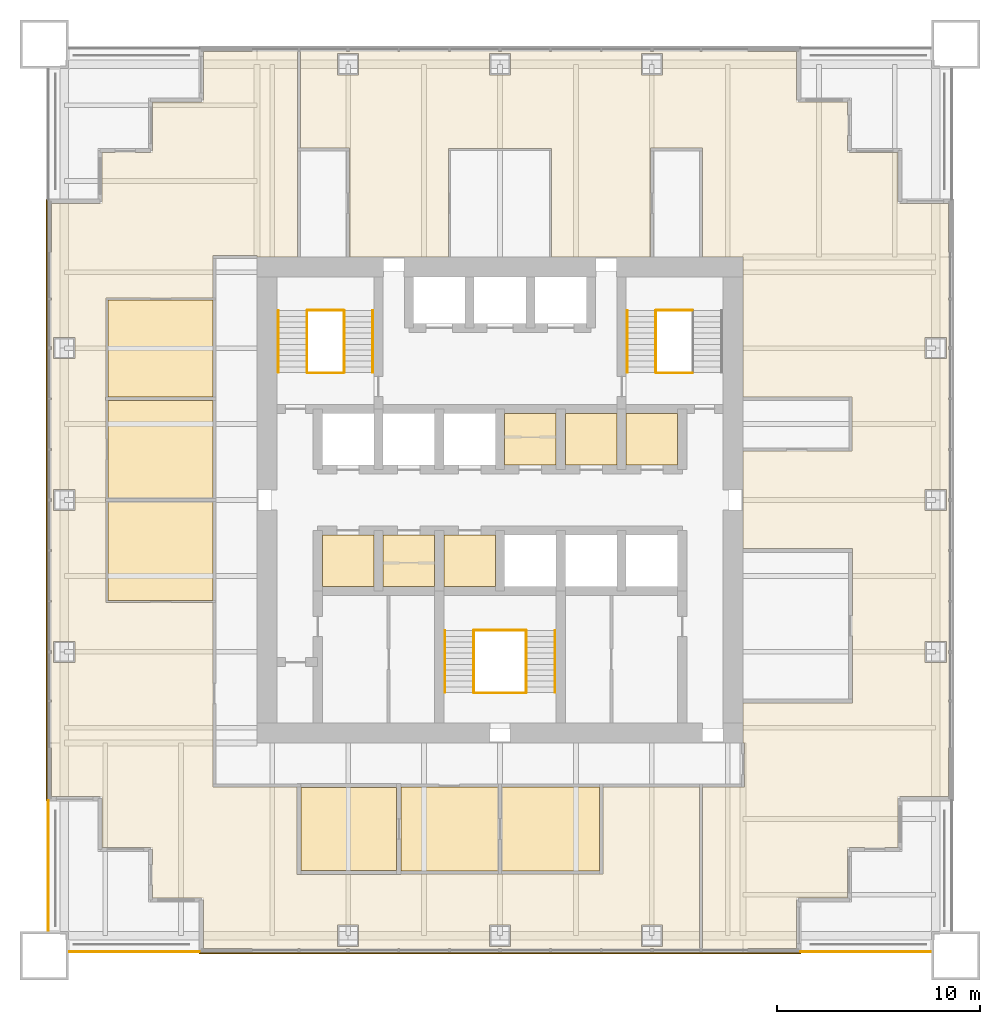
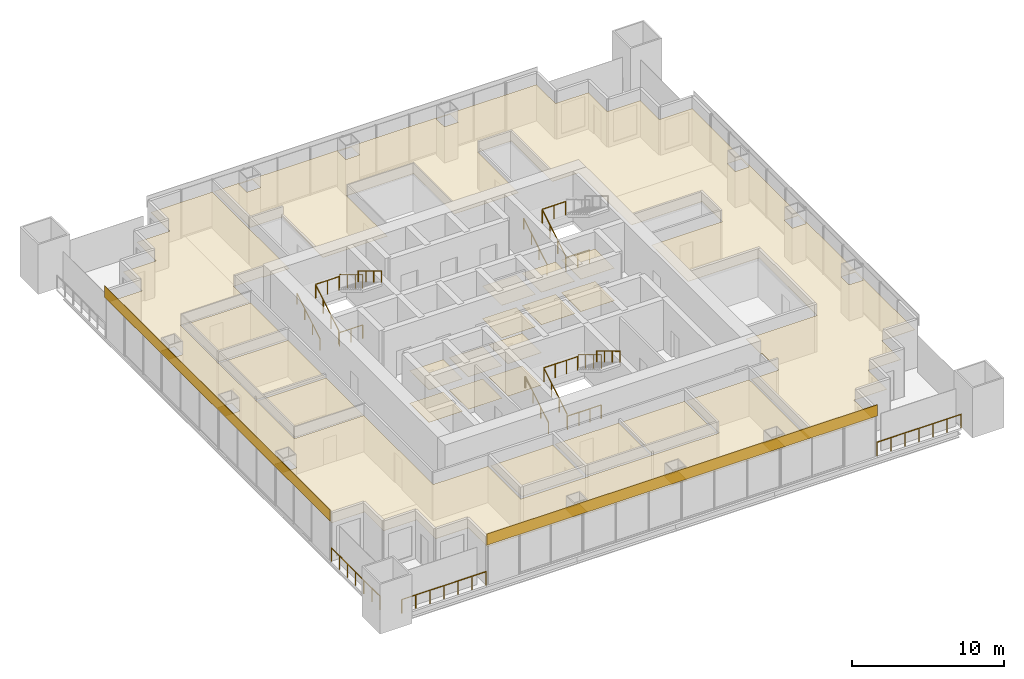
# One storey, part 12 of 13: 22 coverings, 19 railings.
"""IFC4 building model written with IfcOpenShell, lengths in metres."""

from ifc_helpers import new_model, si_unit, direction, frame, origin, origin_2d, place, context, subcontext, project, spatial, polyline, rectangle, circle, outline, extrude, material, layer, layer_set, type_object, element, save


model = new_model("IFC4")

# Units and contexts
model_context = context("Model", 3, precision=1e-05, world=origin(), true_north=direction((0.0, 1.0)))
body_context = subcontext(model_context, "Body", "Model", "MODEL_VIEW")
ifc_project = project(units=[si_unit("LENGTHUNIT", "METRE"), si_unit("AREAUNIT", "SQUARE_METRE"), si_unit("VOLUMEUNIT", "CUBIC_METRE"), si_unit("PLANEANGLEUNIT", "RADIAN"), si_unit("MASSUNIT", "GRAM", prefix="KILO")], contexts=[model_context])

# Site, building, storey
site_placement = place(None, origin())
site = spatial("IfcSite", under=ifc_project, at=site_placement, CompositionType="ELEMENT")
building_placement = place(site_placement, origin())
building = spatial("IfcBuilding", under=site, at=building_placement, Name="Tarangal Relay Tower", CompositionType="ELEMENT")
storey_placement = place(building_placement, frame((0.0, 0.0, 245.89990234375)))
storey = spatial("IfcBuildingStorey", under=building, at=storey_placement, Name="L53", CompositionType="ELEMENT", Elevation=245.89990234375)

# Coverings
ifc_material_1 = material(Name="Anti-static vinyl flooring", Category="plastic")
ifc_layer_1 = layer(ifc_material_1, 0.010009765625)
ifc_layer_set_1 = layer_set([ifc_layer_1], Name="Anti-static vinyl floor")
covering_type_1 = type_object("IfcCoveringType", Name="Anti-static vinyl floor", PredefinedType="FLOORING", material=ifc_layer_set_1)
covering_1_placement = place(storey_placement, origin())
element("IfcCovering", 1, at=covering_1_placement, inside=storey, type_object=covering_type_1, Name="Floor finish FL1 L53-T1", PredefinedType="FLOORING", context=body_context, shape_type="SweptSolid", body=[
    extrude(outline(polyline([(0.22509765625, 1.72509765625), (2.77490234375, 1.72509765625), (2.77490234375, 4.27490234375), (0.22509765625, 4.27490234375), (0.22509765625, 1.72509765625)])), origin(), (0.0, 0.0, 1.0), 0.010009765625),
])
covering_2_placement = place(storey_placement, origin())
element("IfcCovering", 2, at=covering_2_placement, inside=storey, type_object=covering_type_1, Name="Floor finish FL1 L53-T2", PredefinedType="FLOORING", context=body_context, shape_type="SweptSolid", body=[
    extrude(outline(polyline([(3.22509765625, 1.72509765625), (5.77490234375, 1.72509765625), (5.77490234375, 4.27490234375), (3.22509765625, 4.27490234375), (3.22509765625, 1.72509765625)])), origin(), (0.0, 0.0, 1.0), 0.010009765625),
])
covering_3_placement = place(storey_placement, origin())
element("IfcCovering", 3, at=covering_3_placement, inside=storey, type_object=covering_type_1, Name="Floor finish FL1 L53-T3", PredefinedType="FLOORING", context=body_context, shape_type="SweptSolid", body=[
    extrude(outline(polyline([(6.22509765625, 1.72509765625), (8.77490234375, 1.72509765625), (8.77490234375, 4.27490234375), (6.22509765625, 4.27490234375), (6.22509765625, 1.72509765625)])), origin(), (0.0, 0.0, 1.0), 0.010009765625),
])
covering_4_placement = place(storey_placement, origin())
element("IfcCovering", 4, at=covering_4_placement, inside=storey, type_object=covering_type_1, Name="Floor finish FL1 L53-S1", PredefinedType="FLOORING", context=body_context, shape_type="SweptSolid", body=[
    extrude(outline(polyline([(-8.77490234375, -4.27490234375), (-6.22509765625, -4.27490234375), (-6.22509765625, -1.72509765625), (-8.77490234375, -1.72509765625), (-8.77490234375, -4.27490234375)])), origin(), (0.0, 0.0, 1.0), 0.010009765625),
])
covering_5_placement = place(storey_placement, origin())
element("IfcCovering", 5, at=covering_5_placement, inside=storey, type_object=covering_type_1, Name="Floor finish FL1 L53-S2", PredefinedType="FLOORING", context=body_context, shape_type="SweptSolid", body=[
    extrude(outline(polyline([(-5.77490234375, -4.27490234375), (-3.22509765625, -4.27490234375), (-3.22509765625, -1.72509765625), (-5.77490234375, -1.72509765625), (-5.77490234375, -4.27490234375)])), origin(), (0.0, 0.0, 1.0), 0.010009765625),
])
covering_6_placement = place(storey_placement, origin())
element("IfcCovering", 6, at=covering_6_placement, inside=storey, type_object=covering_type_1, Name="Floor finish FL1 L53-S3", PredefinedType="FLOORING", context=body_context, shape_type="SweptSolid", body=[
    extrude(outline(polyline([(-2.77490234375, -4.27490234375), (-0.22509765625, -4.27490234375), (-0.22509765625, -1.72509765625), (-2.77490234375, -1.72509765625), (-2.77490234375, -4.27490234375)])), origin(), (0.0, 0.0, 1.0), 0.010009765625),
])
ifc_material_2 = material(Name="Black anodised aluminium cladding", Category="aluminium")
ifc_layer_2 = layer(ifc_material_2, 0.050048828125)
ifc_layer_set_2 = layer_set([ifc_layer_2], Name="Black metal spandrel band")
covering_type_2 = type_object("IfcCoveringType", Name="Black metal spandrel band", PredefinedType="CLADDING", material=ifc_layer_set_2)
for number, where, z_axis, x_axis, name in (
    (7, (0.0, -22.375, 3.250244140625), (0.0, 0.0, 1.0), (-1.0, 0.0, 0.0), "Spandrel band SB1 S L53"),
    (8, (-22.375, 0.0, 3.250244140625), (0.0, 0.0, 1.0), (0.0, 1.0, 0.0), "Spandrel band SB1 W L53"),
):
    element("IfcCovering", number, at=place(storey_placement, frame(where, z_axis=z_axis, x_axis=x_axis)), inside=storey, type_object=covering_type_2, Name=name, PredefinedType="CLADDING", context=body_context, shape_type="SweptSolid", body=[
        extrude(rectangle(XDim=29.699951171875, YDim=0.050048828125, at=origin_2d()), origin(), (0.0, 0.0, 1.0), 0.89990234375),
    ])

# Railings
ifc_material_3 = material(Name="Steel guard, black finish", Category="steel")
railing_type_1 = type_object("IfcRailingType", Name="Stair guard 1100", PredefinedType="GUARDRAIL", material=ifc_material_3)
railing_1_placement = place(storey_placement, frame((-9.530029296875, 6.300048828125, 0.166748046875)))
element("IfcRailing", 9, at=railing_1_placement, inside=storey, type_object=railing_type_1, Name="Stair ST-A guard GR1 L53 flight 1", PredefinedType="GUARDRAIL", context=body_context, shape_type="SweptSolid", body=[
    extrude(circle(Radius=0.02392578125, at=origin_2d()), frame((0.0, 0.0, 1.076171875), z_axis=(0.0, 0.85685617095, 0.515555527858), x_axis=(-1.0, 0.0, 0.0)), (0.0, 0.0, 1.0), 3.555908203125),
    extrude(circle(Radius=0.02099609375, at=origin_2d()), origin(), (0.0, 0.0, 1.0), 1.052001953125),
    extrude(circle(Radius=0.02099609375, at=origin_2d()), frame((0.0, 1.015625, 0.611083984375)), (0.0, 0.0, 1.0), 1.052001953125),
    extrude(circle(Radius=0.02099609375, at=origin_2d()), frame((0.0, 2.03125, 1.22216796875)), (0.0, 0.0, 1.0), 1.052001953125),
    extrude(circle(Radius=0.02099609375, at=origin_2d()), frame((0.0, 3.046875, 1.833251953125)), (0.0, 0.0, 1.0), 1.052001953125),
])
railing_2_placement = place(storey_placement, frame((-7.695068359375, 9.346923828125, 2.166748046875)))
element("IfcRailing", 10, at=railing_2_placement, inside=storey, type_object=railing_type_1, Name="Stair ST-A guard GR1 L53 flight 2", PredefinedType="GUARDRAIL", context=body_context, shape_type="SweptSolid", body=[
    extrude(circle(Radius=0.02392578125, at=origin_2d()), frame((0.0, 0.0, 1.076171875), z_axis=(0.0, -0.85685617095, 0.515555527858), x_axis=(1.0, 0.0, 0.0)), (0.0, 0.0, 1.0), 3.555908203125),
    extrude(circle(Radius=0.02099609375, at=origin_2d()), origin(), (0.0, 0.0, 1.0), 1.052001953125),
    extrude(circle(Radius=0.02099609375, at=origin_2d()), frame((0.0, -1.015625, 0.611083984375)), (0.0, 0.0, 1.0), 1.052001953125),
    extrude(circle(Radius=0.02099609375, at=origin_2d()), frame((0.0, -2.03125, 1.22216796875)), (0.0, 0.0, 1.0), 1.052001953125),
    extrude(circle(Radius=0.02099609375, at=origin_2d()), frame((0.0, -3.046875, 1.833251953125)), (0.0, 0.0, 1.0), 1.052001953125),
])
for number, where, name in (
    (11, (-9.5, 6.27001953125, 0.0), "Stair ST-A landing guard GR1 L53"),
    (12, (-9.5, 9.376953125, 2.0), "Stair ST-A landing guard GR1 L53"),
):
    element("IfcRailing", number, at=place(storey_placement, frame(where)), inside=storey, type_object=railing_type_1, Name=name, PredefinedType="GUARDRAIL", context=body_context, shape_type="SweptSolid", body=[
        extrude(circle(Radius=0.02392578125, at=origin_2d()), frame((0.0, 0.0, 1.076171875), z_axis=(1.0, 0.0, 0.0), x_axis=(0.0, 1.0, 0.0)), (0.0, 0.0, 1.0), 1.77490234375),
        extrude(circle(Radius=0.02099609375, at=origin_2d()), origin(), (0.0, 0.0, 1.0), 1.052001953125),
        extrude(circle(Radius=0.02099609375, at=origin_2d()), frame((0.887451171875, 0.0, 0.0)), (0.0, 0.0, 1.0), 1.052001953125),
        extrude(circle(Radius=0.02099609375, at=origin_2d()), frame((1.77490234375, 0.0, 0.0)), (0.0, 0.0, 1.0), 1.052001953125),
    ])
railing_3_placement = place(storey_placement, frame((7.695068359375, 6.300048828125, 0.166748046875)))
element("IfcRailing", 13, at=railing_3_placement, inside=storey, type_object=railing_type_1, Name="Stair ST-B guard GR1 L53 flight 1", PredefinedType="GUARDRAIL", context=body_context, shape_type="SweptSolid", body=[
    extrude(circle(Radius=0.02392578125, at=origin_2d()), frame((0.0, 0.0, 1.076171875), z_axis=(0.0, 0.85685617095, 0.515555527858), x_axis=(-1.0, 0.0, 0.0)), (0.0, 0.0, 1.0), 3.555908203125),
    extrude(circle(Radius=0.02099609375, at=origin_2d()), origin(), (0.0, 0.0, 1.0), 1.052001953125),
    extrude(circle(Radius=0.02099609375, at=origin_2d()), frame((0.0, 1.015625, 0.611083984375)), (0.0, 0.0, 1.0), 1.052001953125),
    extrude(circle(Radius=0.02099609375, at=origin_2d()), frame((0.0, 2.03125, 1.22216796875)), (0.0, 0.0, 1.0), 1.052001953125),
    extrude(circle(Radius=0.02099609375, at=origin_2d()), frame((0.0, 3.046875, 1.833251953125)), (0.0, 0.0, 1.0), 1.052001953125),
])
for number, where, name in (
    (14, (7.72509765625, 6.27001953125, 0.0), "Stair ST-B landing guard GR1 L53"),
    (15, (7.72509765625, 9.376953125, 2.0), "Stair ST-B landing guard GR1 L53"),
):
    element("IfcRailing", number, at=place(storey_placement, frame(where)), inside=storey, type_object=railing_type_1, Name=name, PredefinedType="GUARDRAIL", context=body_context, shape_type="SweptSolid", body=[
        extrude(circle(Radius=0.02392578125, at=origin_2d()), frame((0.0, 0.0, 1.076171875), z_axis=(1.0, 0.0, 0.0), x_axis=(0.0, 1.0, 0.0)), (0.0, 0.0, 1.0), 1.77490234375),
        extrude(circle(Radius=0.02099609375, at=origin_2d()), origin(), (0.0, 0.0, 1.0), 1.052001953125),
        extrude(circle(Radius=0.02099609375, at=origin_2d()), frame((0.887451171875, 0.0, 0.0)), (0.0, 0.0, 1.0), 1.052001953125),
        extrude(circle(Radius=0.02099609375, at=origin_2d()), frame((1.77490234375, 0.0, 0.0)), (0.0, 0.0, 1.0), 1.052001953125),
    ])
railing_4_placement = place(storey_placement, frame((-1.304931640625, -9.5, 0.166748046875)))
element("IfcRailing", 16, at=railing_4_placement, inside=storey, type_object=railing_type_1, Name="Stair ST-C guard GR1 L53 flight 1", PredefinedType="GUARDRAIL", context=body_context, shape_type="SweptSolid", body=[
    extrude(circle(Radius=0.02392578125, at=origin_2d()), frame((0.0, 0.0, 1.076171875), z_axis=(0.0, 0.856874418557, 0.515525199018), x_axis=(-1.0, 0.0, 0.0)), (0.0, 0.0, 1.0), 3.55615234375),
    extrude(circle(Radius=0.02099609375, at=origin_2d()), origin(), (0.0, 0.0, 1.0), 1.052001953125),
    extrude(circle(Radius=0.02099609375, at=origin_2d()), frame((0.0, 1.015625, 0.611083984375)), (0.0, 0.0, 1.0), 1.052001953125),
    extrude(circle(Radius=0.02099609375, at=origin_2d()), frame((0.0, 2.031494140625, 1.22216796875)), (0.0, 0.0, 1.0), 1.052001953125),
    extrude(circle(Radius=0.02099609375, at=origin_2d()), frame((0.0, 3.047119140625, 1.833251953125)), (0.0, 0.0, 1.0), 1.052001953125),
])
railing_5_placement = place(storey_placement, frame((1.304931640625, -6.452880859375, 2.166748046875)))
element("IfcRailing", 17, at=railing_5_placement, inside=storey, type_object=railing_type_1, Name="Stair ST-C guard GR1 L53 flight 2", PredefinedType="GUARDRAIL", context=body_context, shape_type="SweptSolid", body=[
    extrude(circle(Radius=0.02392578125, at=origin_2d()), frame((0.0, 0.0, 1.076171875), z_axis=(0.0, -0.856874418557, 0.515525199018), x_axis=(1.0, 0.0, 0.0)), (0.0, 0.0, 1.0), 3.55615234375),
    extrude(circle(Radius=0.02099609375, at=origin_2d()), origin(), (0.0, 0.0, 1.0), 1.052001953125),
    extrude(circle(Radius=0.02099609375, at=origin_2d()), frame((0.0, -1.015625, 0.611083984375)), (0.0, 0.0, 1.0), 1.052001953125),
    extrude(circle(Radius=0.02099609375, at=origin_2d()), frame((0.0, -2.031494140625, 1.22216796875)), (0.0, 0.0, 1.0), 1.052001953125),
    extrude(circle(Radius=0.02099609375, at=origin_2d()), frame((0.0, -3.047119140625, 1.833251953125)), (0.0, 0.0, 1.0), 1.052001953125),
])
for number, where, name in (
    (18, (-1.27490234375, -9.530029296875, 0.0), "Stair ST-C landing guard GR1 L53"),
    (19, (-1.27490234375, -6.423095703125, 2.0), "Stair ST-C landing guard GR1 L53"),
):
    element("IfcRailing", number, at=place(storey_placement, frame(where)), inside=storey, type_object=railing_type_1, Name=name, PredefinedType="GUARDRAIL", context=body_context, shape_type="SweptSolid", body=[
        extrude(circle(Radius=0.02392578125, at=origin_2d()), frame((0.0, 0.0, 1.076171875), z_axis=(1.0, 0.0, 0.0), x_axis=(0.0, 1.0, 0.0)), (0.0, 0.0, 1.0), 2.5498046875),
        extrude(circle(Radius=0.02099609375, at=origin_2d()), origin(), (0.0, 0.0, 1.0), 1.052001953125),
        extrude(circle(Radius=0.02099609375, at=origin_2d()), frame((0.849853515625, 0.0, 0.0)), (0.0, 0.0, 1.0), 1.052001953125),
        extrude(circle(Radius=0.02099609375, at=origin_2d()), frame((1.699951171875, 0.0, 0.0)), (0.0, 0.0, 1.0), 1.052001953125),
        extrude(circle(Radius=0.02099609375, at=origin_2d()), frame((2.5498046875, 0.0, 0.0)), (0.0, 0.0, 1.0), 1.052001953125),
    ])
ifc_material_4 = material(Name="Steel handrail, black finish", Category="steel")
railing_type_2 = type_object("IfcRailingType", Name="Stair handrail 900", PredefinedType="HANDRAIL", material=ifc_material_4)
railing_6_placement = place(storey_placement, frame((-10.93994140625, 6.300048828125, 0.166748046875)))
element("IfcRailing", 20, at=railing_6_placement, inside=storey, type_object=railing_type_2, Name="Stair ST-A handrail HR1 L53 flight 1", PredefinedType="HANDRAIL", context=body_context, shape_type="SweptSolid", body=[
    extrude(circle(Radius=0.02392578125, at=origin_2d()), frame((0.0, 0.0, 0.8759765625), z_axis=(0.0, 0.85685617095, 0.515555527858), x_axis=(-1.0, 0.0, 0.0)), (0.0, 0.0, 1.0), 3.555908203125),
    extrude(circle(Radius=0.02099609375, at=origin_2d()), origin(), (0.0, 0.0, 1.0), 0.851806640625),
    extrude(circle(Radius=0.02099609375, at=origin_2d()), frame((0.0, 1.015625, 0.611083984375)), (0.0, 0.0, 1.0), 0.851806640625),
    extrude(circle(Radius=0.02099609375, at=origin_2d()), frame((0.0, 2.03125, 1.22216796875)), (0.0, 0.0, 1.0), 0.851806640625),
    extrude(circle(Radius=0.02099609375, at=origin_2d()), frame((0.0, 3.046875, 1.833251953125)), (0.0, 0.0, 1.0), 0.851806640625),
])
railing_7_placement = place(storey_placement, frame((-6.284912109375, 9.346923828125, 2.166748046875)))
element("IfcRailing", 21, at=railing_7_placement, inside=storey, type_object=railing_type_2, Name="Stair ST-A handrail HR1 L53 flight 2", PredefinedType="HANDRAIL", context=body_context, shape_type="SweptSolid", body=[
    extrude(circle(Radius=0.02392578125, at=origin_2d()), frame((0.0, 0.0, 0.8759765625), z_axis=(0.0, -0.85685617095, 0.515555527858), x_axis=(1.0, 0.0, 0.0)), (0.0, 0.0, 1.0), 3.555908203125),
    extrude(circle(Radius=0.02099609375, at=origin_2d()), origin(), (0.0, 0.0, 1.0), 0.851806640625),
    extrude(circle(Radius=0.02099609375, at=origin_2d()), frame((0.0, -1.015625, 0.611083984375)), (0.0, 0.0, 1.0), 0.851806640625),
    extrude(circle(Radius=0.02099609375, at=origin_2d()), frame((0.0, -2.03125, 1.22216796875)), (0.0, 0.0, 1.0), 0.851806640625),
    extrude(circle(Radius=0.02099609375, at=origin_2d()), frame((0.0, -3.046875, 1.833251953125)), (0.0, 0.0, 1.0), 0.851806640625),
])
railing_8_placement = place(storey_placement, frame((6.284912109375, 6.300048828125, 0.166748046875)))
element("IfcRailing", 22, at=railing_8_placement, inside=storey, type_object=railing_type_2, Name="Stair ST-B handrail HR1 L53 flight 1", PredefinedType="HANDRAIL", context=body_context, shape_type="SweptSolid", body=[
    extrude(circle(Radius=0.02392578125, at=origin_2d()), frame((0.0, 0.0, 0.8759765625), z_axis=(0.0, 0.85685617095, 0.515555527858), x_axis=(-1.0, 0.0, 0.0)), (0.0, 0.0, 1.0), 3.555908203125),
    extrude(circle(Radius=0.02099609375, at=origin_2d()), origin(), (0.0, 0.0, 1.0), 0.851806640625),
    extrude(circle(Radius=0.02099609375, at=origin_2d()), frame((0.0, 1.015625, 0.611083984375)), (0.0, 0.0, 1.0), 0.851806640625),
    extrude(circle(Radius=0.02099609375, at=origin_2d()), frame((0.0, 2.03125, 1.22216796875)), (0.0, 0.0, 1.0), 0.851806640625),
    extrude(circle(Radius=0.02099609375, at=origin_2d()), frame((0.0, 3.046875, 1.833251953125)), (0.0, 0.0, 1.0), 0.851806640625),
])
railing_9_placement = place(storey_placement, frame((-2.715087890625, -9.5, 0.166748046875)))
element("IfcRailing", 23, at=railing_9_placement, inside=storey, type_object=railing_type_2, Name="Stair ST-C handrail HR1 L53 flight 1", PredefinedType="HANDRAIL", context=body_context, shape_type="SweptSolid", body=[
    extrude(circle(Radius=0.02392578125, at=origin_2d()), frame((0.0, 0.0, 0.8759765625), z_axis=(0.0, 0.856874418557, 0.515525199018), x_axis=(-1.0, 0.0, 0.0)), (0.0, 0.0, 1.0), 3.55615234375),
    extrude(circle(Radius=0.02099609375, at=origin_2d()), origin(), (0.0, 0.0, 1.0), 0.851806640625),
    extrude(circle(Radius=0.02099609375, at=origin_2d()), frame((0.0, 1.015625, 0.611083984375)), (0.0, 0.0, 1.0), 0.851806640625),
    extrude(circle(Radius=0.02099609375, at=origin_2d()), frame((0.0, 2.031494140625, 1.22216796875)), (0.0, 0.0, 1.0), 0.851806640625),
    extrude(circle(Radius=0.02099609375, at=origin_2d()), frame((0.0, 3.047119140625, 1.833251953125)), (0.0, 0.0, 1.0), 0.851806640625),
])
railing_10_placement = place(storey_placement, frame((2.715087890625, -6.452880859375, 2.166748046875)))
element("IfcRailing", 24, at=railing_10_placement, inside=storey, type_object=railing_type_2, Name="Stair ST-C handrail HR1 L53 flight 2", PredefinedType="HANDRAIL", context=body_context, shape_type="SweptSolid", body=[
    extrude(circle(Radius=0.02392578125, at=origin_2d()), frame((0.0, 0.0, 0.8759765625), z_axis=(0.0, -0.856874418557, 0.515525199018), x_axis=(1.0, 0.0, 0.0)), (0.0, 0.0, 1.0), 3.55615234375),
    extrude(circle(Radius=0.02099609375, at=origin_2d()), origin(), (0.0, 0.0, 1.0), 0.851806640625),
    extrude(circle(Radius=0.02099609375, at=origin_2d()), frame((0.0, -1.015625, 0.611083984375)), (0.0, 0.0, 1.0), 0.851806640625),
    extrude(circle(Radius=0.02099609375, at=origin_2d()), frame((0.0, -2.031494140625, 1.22216796875)), (0.0, 0.0, 1.0), 0.851806640625),
    extrude(circle(Radius=0.02099609375, at=origin_2d()), frame((0.0, -3.047119140625, 1.833251953125)), (0.0, 0.0, 1.0), 0.851806640625),
])

# Coverings
ifc_material_5 = material(Name="Mineral fibre ceiling tiles", Category="gypsum")
ifc_layer_3 = layer(ifc_material_5, 0.02001953125)
ifc_layer_set_3 = layer_set([ifc_layer_3], Name="Suspended ceiling")
covering_type_3 = type_object("IfcCoveringType", Name="Suspended ceiling", PredefinedType="CEILING", material=ifc_layer_set_3)
covering_7_placement = place(storey_placement, frame((0.0, 0.0, 2.60009765625)))
element("IfcCovering", 25, at=covering_7_placement, inside=storey, type_object=covering_type_3, Name="Suspended ceiling CL1 L53-T1", PredefinedType="CEILING", context=body_context, shape_type="SweptSolid", body=[
    extrude(outline(polyline([(0.22509765625, 1.72509765625), (2.77490234375, 1.72509765625), (2.77490234375, 4.27490234375), (0.22509765625, 4.27490234375), (0.22509765625, 1.72509765625)])), origin(), (0.0, 0.0, 1.0), 0.02001953125),
])
covering_8_placement = place(storey_placement, frame((0.0, 0.0, 2.60009765625)))
element("IfcCovering", 26, at=covering_8_placement, inside=storey, type_object=covering_type_3, Name="Suspended ceiling CL1 L53-T2", PredefinedType="CEILING", context=body_context, shape_type="SweptSolid", body=[
    extrude(outline(polyline([(3.22509765625, 1.72509765625), (5.77490234375, 1.72509765625), (5.77490234375, 4.27490234375), (3.22509765625, 4.27490234375), (3.22509765625, 1.72509765625)])), origin(), (0.0, 0.0, 1.0), 0.02001953125),
])
covering_9_placement = place(storey_placement, frame((0.0, 0.0, 2.60009765625)))
element("IfcCovering", 27, at=covering_9_placement, inside=storey, type_object=covering_type_3, Name="Suspended ceiling CL1 L53-T3", PredefinedType="CEILING", context=body_context, shape_type="SweptSolid", body=[
    extrude(outline(polyline([(6.22509765625, 1.72509765625), (8.77490234375, 1.72509765625), (8.77490234375, 4.27490234375), (6.22509765625, 4.27490234375), (6.22509765625, 1.72509765625)])), origin(), (0.0, 0.0, 1.0), 0.02001953125),
])
covering_10_placement = place(storey_placement, frame((0.0, 0.0, 2.60009765625)))
element("IfcCovering", 28, at=covering_10_placement, inside=storey, type_object=covering_type_3, Name="Suspended ceiling CL1 L53-S1", PredefinedType="CEILING", context=body_context, shape_type="SweptSolid", body=[
    extrude(outline(polyline([(-8.77490234375, -4.27490234375), (-6.22509765625, -4.27490234375), (-6.22509765625, -1.72509765625), (-8.77490234375, -1.72509765625), (-8.77490234375, -4.27490234375)])), origin(), (0.0, 0.0, 1.0), 0.02001953125),
])
covering_11_placement = place(storey_placement, frame((0.0, 0.0, 2.60009765625)))
element("IfcCovering", 29, at=covering_11_placement, inside=storey, type_object=covering_type_3, Name="Suspended ceiling CL1 L53-S2", PredefinedType="CEILING", context=body_context, shape_type="SweptSolid", body=[
    extrude(outline(polyline([(-5.77490234375, -4.27490234375), (-3.22509765625, -4.27490234375), (-3.22509765625, -1.72509765625), (-5.77490234375, -1.72509765625), (-5.77490234375, -4.27490234375)])), origin(), (0.0, 0.0, 1.0), 0.02001953125),
])
covering_12_placement = place(storey_placement, frame((0.0, 0.0, 2.60009765625)))
element("IfcCovering", 30, at=covering_12_placement, inside=storey, type_object=covering_type_3, Name="Suspended ceiling CL1 L53-S3", PredefinedType="CEILING", context=body_context, shape_type="SweptSolid", body=[
    extrude(outline(polyline([(-2.77490234375, -4.27490234375), (-0.22509765625, -4.27490234375), (-0.22509765625, -1.72509765625), (-2.77490234375, -1.72509765625), (-2.77490234375, -4.27490234375)])), origin(), (0.0, 0.0, 1.0), 0.02001953125),
])
covering_13_placement = place(storey_placement, frame((0.0, 0.0, 2.900146484375)))
element("IfcCovering", 31, at=covering_13_placement, inside=storey, type_object=covering_type_3, Name="Suspended ceiling CL1 L53-07", PredefinedType="CEILING", context=body_context, shape_type="SweptSolid", body=[
    extrude(outline(polyline([(4.925048828125, -14.175048828125), (0.074951171875, -14.175048828125), (0.074951171875, -18.324951171875), (4.925048828125, -18.324951171875), (4.925048828125, -14.175048828125)])), origin(), (0.0, 0.0, 1.0), 0.02001953125),
])
covering_14_placement = place(storey_placement, frame((0.0, 0.0, 2.900146484375)))
element("IfcCovering", 32, at=covering_14_placement, inside=storey, type_object=covering_type_3, Name="Suspended ceiling CL1 L53-08", PredefinedType="CEILING", context=body_context, shape_type="SweptSolid", body=[
    extrude(outline(polyline([(-4.89990234375, -18.324951171875), (-0.074951171875, -18.324951171875), (-0.074951171875, -14.175048828125), (-4.89990234375, -14.175048828125), (-4.89990234375, -18.324951171875)])), origin(), (0.0, 0.0, 1.0), 0.02001953125),
])
covering_15_placement = place(storey_placement, frame((0.0, 0.0, 2.900146484375)))
element("IfcCovering", 33, at=covering_15_placement, inside=storey, type_object=covering_type_3, Name="Suspended ceiling CL1 L53-09", PredefinedType="CEILING", context=body_context, shape_type="SweptSolid", body=[
    extrude(outline(polyline([(-5.10009765625, -14.199951171875), (-9.81689453125, -14.199951171875), (-9.81689453125, -18.300048828125), (-5.10009765625, -18.300048828125), (-5.10009765625, -14.199951171875)])), origin(), (0.0, 0.0, 1.0), 0.02001953125),
])
covering_16_placement = place(storey_placement, frame((0.0, 0.0, 2.900146484375)))
element("IfcCovering", 34, at=covering_16_placement, inside=storey, type_object=covering_type_3, Name="Suspended ceiling CL1 L53-10", PredefinedType="CEILING", context=body_context, shape_type="SweptSolid", body=[
    extrude(outline(polyline([(-14.175048828125, -0.074951171875), (-19.35009765625, -0.074951171875), (-19.35009765625, -4.949951171875), (-14.175048828125, -4.949951171875), (-14.175048828125, -0.074951171875)])), origin(), (0.0, 0.0, 1.0), 0.02001953125),
])
covering_17_placement = place(storey_placement, frame((0.0, 0.0, 2.900146484375)))
element("IfcCovering", 35, at=covering_17_placement, inside=storey, type_object=covering_type_3, Name="Suspended ceiling CL1 L53-11", PredefinedType="CEILING", context=body_context, shape_type="SweptSolid", body=[
    extrude(outline(polyline([(-14.175048828125, 4.925048828125), (-19.35009765625, 4.925048828125), (-19.35009765625, 0.074951171875), (-14.175048828125, 0.074951171875), (-14.175048828125, 4.925048828125)])), origin(), (0.0, 0.0, 1.0), 0.02001953125),
])
covering_18_placement = place(storey_placement, frame((0.0, 0.0, 2.900146484375)))
element("IfcCovering", 36, at=covering_18_placement, inside=storey, type_object=covering_type_3, Name="Suspended ceiling CL1 L53-12", PredefinedType="CEILING", context=body_context, shape_type="SweptSolid", body=[
    extrude(outline(polyline([(-19.35009765625, 9.866943359375), (-19.35009765625, 5.074951171875), (-14.175048828125, 5.074951171875), (-14.175048828125, 9.866943359375), (-19.35009765625, 9.866943359375)])), origin(), (0.0, 0.0, 1.0), 0.02001953125),
])
covering_19_placement = place(storey_placement, frame((0.0, 0.0, 2.900146484375)))
element("IfcCovering", 37, at=covering_19_placement, inside=storey, type_object=covering_type_3, Name="Suspended ceiling CL1 L53-13", PredefinedType="CEILING", context=body_context, shape_type="SweptSolid", body=[
    extrude(outline(polyline([(7.425048828125, 12.0), (7.425048828125, 17.375), (9.991943359375, 17.375), (9.991943359375, 12.0), (12.0, 12.0), (12.0, 5.074951171875), (17.375, 5.074951171875), (17.375, 2.425048828125), (12.0, 2.425048828125), (12.0, -2.39990234375), (17.39990234375, -2.39990234375), (17.39990234375, -10.01708984375), (12.0, -10.01708984375), (12.0, -12.0), (12.074951171875, -12.0), (12.074951171875, -14.175048828125), (9.991943359375, -14.175048828125), (9.991943359375, -22.14990234375), (14.64990234375, -22.14990234375), (14.64990234375, -19.64990234375), (17.14990234375, -19.64990234375), (17.14990234375, -17.14990234375), (19.64990234375, -17.14990234375), (19.64990234375, -14.64990234375), (22.14990234375, -14.64990234375), (22.14990234375, 14.64990234375), (19.64990234375, 14.64990234375), (19.64990234375, 17.14990234375), (17.14990234375, 17.14990234375), (17.14990234375, 19.64990234375), (14.64990234375, 19.64990234375), (14.64990234375, 22.14990234375), (-9.842041015625, 22.14990234375), (-9.842041015625, 17.375), (-7.425048828125, 17.375), (-7.425048828125, 12.0), (-2.550048828125, 12.0), (-2.550048828125, 17.35009765625), (2.550048828125, 17.35009765625), (2.550048828125, 12.0), (7.425048828125, 12.0)]), holes=[polyline([(20.989990234375, -8.02490234375), (22.0400390625, -8.02490234375), (22.0400390625, -6.97509765625), (20.989990234375, -6.97509765625), (20.989990234375, -8.02490234375)]), polyline([(20.989990234375, 0.52490234375), (20.989990234375, -0.52490234375), (22.0400390625, -0.52490234375), (22.0400390625, 0.52490234375), (20.989990234375, 0.52490234375)]), polyline([(20.989990234375, 8.02490234375), (20.989990234375, 6.97509765625), (22.0400390625, 6.97509765625), (22.0400390625, 8.02490234375), (20.989990234375, 8.02490234375)]), polyline([(-8.02490234375, 20.989990234375), (-6.97509765625, 20.989990234375), (-6.97509765625, 22.0400390625), (-8.02490234375, 22.0400390625), (-8.02490234375, 20.989990234375)]), polyline([(-0.52490234375, 22.0400390625), (-0.52490234375, 20.989990234375), (0.52490234375, 20.989990234375), (0.52490234375, 22.0400390625), (-0.52490234375, 22.0400390625)]), polyline([(6.97509765625, 22.0400390625), (6.97509765625, 20.989990234375), (8.02490234375, 20.989990234375), (8.02490234375, 22.0400390625), (6.97509765625, 22.0400390625)])]), origin(), (0.0, 0.0, 1.0), 0.02001953125),
])
covering_20_placement = place(storey_placement, frame((0.0, 0.0, 2.900146484375)))
element("IfcCovering", 38, at=covering_20_placement, inside=storey, type_object=covering_type_3, Name="Suspended ceiling CL1 L53-14", PredefinedType="CEILING", context=body_context, shape_type="SweptSolid", body=[
    extrude(outline(polyline([(-14.64990234375, -22.14990234375), (9.842041015625, -22.14990234375), (9.842041015625, -14.175048828125), (5.074951171875, -14.175048828125), (5.074951171875, -18.47509765625), (-4.89990234375, -18.47509765625), (-4.89990234375, -18.5), (-10.01708984375, -18.5), (-10.01708984375, -14.175048828125), (-14.175048828125, -14.175048828125), (-14.175048828125, -5.050048828125), (-19.449951171875, -5.050048828125), (-19.449951171875, -0.074951171875), (-19.47509765625, -0.074951171875), (-19.47509765625, 0.074951171875), (-19.449951171875, 0.074951171875), (-19.449951171875, 4.925048828125), (-19.47509765625, 4.925048828125), (-19.47509765625, 5.074951171875), (-19.449951171875, 5.074951171875), (-19.449951171875, 9.967041015625), (-14.175048828125, 9.967041015625), (-14.175048828125, 12.074951171875), (-12.0, 12.074951171875), (-12.0, 12.0), (-9.991943359375, 12.0), (-9.991943359375, 22.14990234375), (-14.64990234375, 22.14990234375), (-14.64990234375, 19.64990234375), (-17.14990234375, 19.64990234375), (-17.14990234375, 17.14990234375), (-19.64990234375, 17.14990234375), (-19.64990234375, 14.64990234375), (-22.14990234375, 14.64990234375), (-22.14990234375, -14.64990234375), (-19.64990234375, -14.64990234375), (-19.64990234375, -17.14990234375), (-17.14990234375, -17.14990234375), (-17.14990234375, -19.64990234375), (-14.64990234375, -19.64990234375), (-14.64990234375, -22.14990234375)]), holes=[polyline([(-8.02490234375, -22.0400390625), (-6.97509765625, -22.0400390625), (-6.97509765625, -20.989990234375), (-8.02490234375, -20.989990234375), (-8.02490234375, -22.0400390625)]), polyline([(-0.52490234375, -20.989990234375), (-0.52490234375, -22.0400390625), (0.52490234375, -22.0400390625), (0.52490234375, -20.989990234375), (-0.52490234375, -20.989990234375)]), polyline([(6.97509765625, -20.989990234375), (6.97509765625, -22.0400390625), (8.02490234375, -22.0400390625), (8.02490234375, -20.989990234375), (6.97509765625, -20.989990234375)]), polyline([(-22.0400390625, -8.02490234375), (-20.989990234375, -8.02490234375), (-20.989990234375, -6.97509765625), (-22.0400390625, -6.97509765625), (-22.0400390625, -8.02490234375)]), polyline([(-22.0400390625, 0.52490234375), (-22.0400390625, -0.52490234375), (-20.989990234375, -0.52490234375), (-20.989990234375, 0.52490234375), (-22.0400390625, 0.52490234375)]), polyline([(-22.0400390625, 8.02490234375), (-22.0400390625, 6.97509765625), (-20.989990234375, 6.97509765625), (-20.989990234375, 8.02490234375), (-22.0400390625, 8.02490234375)])]), origin(), (0.0, 0.0, 1.0), 0.02001953125),
])

# Railings
ifc_material_6 = material(Name="Black steel guard with glass infill", Category="steel")
railing_type_3 = type_object("IfcRailingType", Name="Terrace guard 1100", PredefinedType="GUARDRAIL", material=ifc_material_6)
for number, where, name in (
    (39, (21.25, -22.300048828125, 0.0), "Terrace guard GR2 SE L53"),
    (40, (-14.85009765625, -22.300048828125, 0.0), "Terrace guard GR2 SW L53"),
):
    element("IfcRailing", number, at=place(storey_placement, frame(where)), inside=storey, type_object=railing_type_3, Name=name, PredefinedType="GUARDRAIL", context=body_context, shape_type="SweptSolid", body=[
        extrude(circle(Radius=0.02392578125, at=origin_2d()), frame((0.0, 0.0, 1.076171875), z_axis=(-1.0, 0.0, 0.0), x_axis=(0.0, -1.0, 0.0)), (0.0, 0.0, 1.0), 6.39990234375),
        extrude(circle(Radius=0.02099609375, at=origin_2d()), origin(), (0.0, 0.0, 1.0), 1.052001953125),
        extrude(circle(Radius=0.02099609375, at=origin_2d()), frame((-1.066650390625, 0.0, 0.0)), (0.0, 0.0, 1.0), 1.052001953125),
        extrude(circle(Radius=0.02099609375, at=origin_2d()), frame((-2.13330078125, 0.0, 0.0)), (0.0, 0.0, 1.0), 1.052001953125),
        extrude(circle(Radius=0.02099609375, at=origin_2d()), frame((-3.199951171875, 0.0, 0.0)), (0.0, 0.0, 1.0), 1.052001953125),
        extrude(circle(Radius=0.02099609375, at=origin_2d()), frame((-4.2666015625, 0.0, 0.0)), (0.0, 0.0, 1.0), 1.052001953125),
        extrude(circle(Radius=0.02099609375, at=origin_2d()), frame((-5.333251953125, 0.0, 0.0)), (0.0, 0.0, 1.0), 1.052001953125),
        extrude(circle(Radius=0.02099609375, at=origin_2d()), frame((-6.39990234375, 0.0, 0.0)), (0.0, 0.0, 1.0), 1.052001953125),
    ])
railing_11_placement = place(storey_placement, frame((-22.300048828125, -21.25, 0.0)))
element("IfcRailing", 41, at=railing_11_placement, inside=storey, type_object=railing_type_3, Name="Terrace guard GR2 SW L53", PredefinedType="GUARDRAIL", context=body_context, shape_type="SweptSolid", body=[
    extrude(circle(Radius=0.02392578125, at=origin_2d()), frame((0.0, 0.0, 1.076171875), z_axis=(0.0, 1.0, 0.0), x_axis=(-1.0, 0.0, 0.0)), (0.0, 0.0, 1.0), 6.39990234375),
    extrude(circle(Radius=0.02099609375, at=origin_2d()), origin(), (0.0, 0.0, 1.0), 1.052001953125),
    extrude(circle(Radius=0.02099609375, at=origin_2d()), frame((0.0, 1.066650390625, 0.0)), (0.0, 0.0, 1.0), 1.052001953125),
    extrude(circle(Radius=0.02099609375, at=origin_2d()), frame((0.0, 2.13330078125, 0.0)), (0.0, 0.0, 1.0), 1.052001953125),
    extrude(circle(Radius=0.02099609375, at=origin_2d()), frame((0.0, 3.199951171875, 0.0)), (0.0, 0.0, 1.0), 1.052001953125),
    extrude(circle(Radius=0.02099609375, at=origin_2d()), frame((0.0, 4.2666015625, 0.0)), (0.0, 0.0, 1.0), 1.052001953125),
    extrude(circle(Radius=0.02099609375, at=origin_2d()), frame((0.0, 5.333251953125, 0.0)), (0.0, 0.0, 1.0), 1.052001953125),
    extrude(circle(Radius=0.02099609375, at=origin_2d()), frame((0.0, 6.39990234375, 0.0)), (0.0, 0.0, 1.0), 1.052001953125),
])

save(model, "model.ifc")
